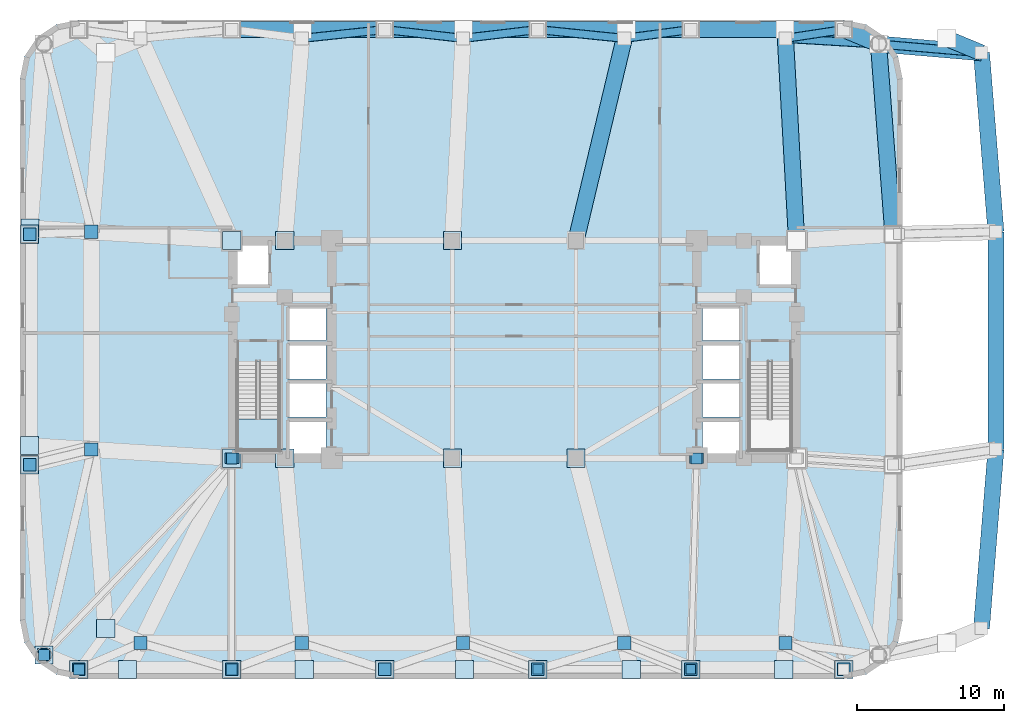
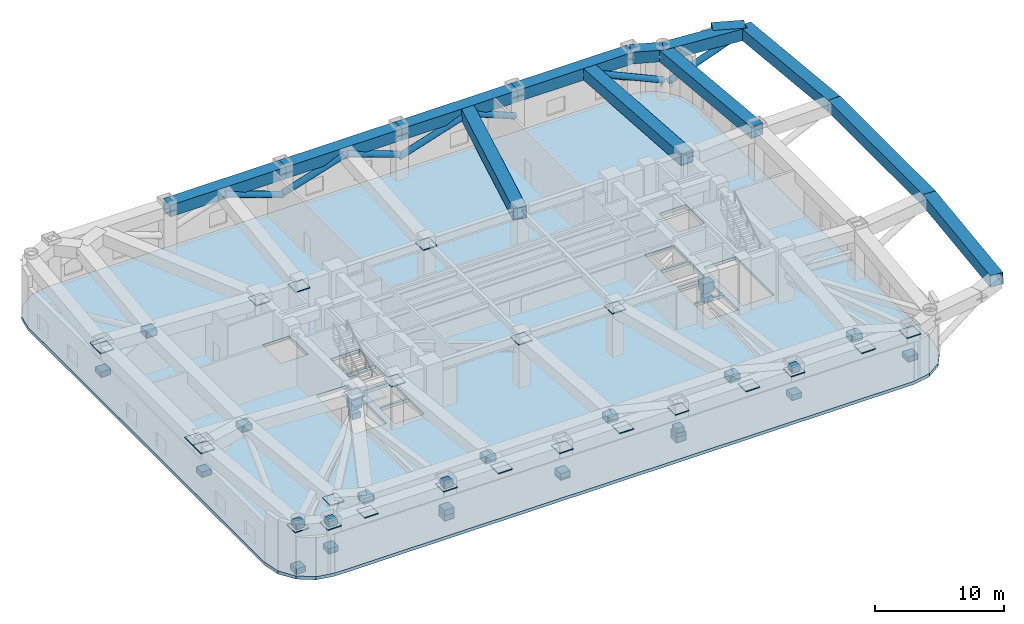
# One storey, part 3 of 9: 52 plates, 13 beams, 8 members, 2 slabs, 1 element without a shape of its own.
"""IFC4 building model written with IfcOpenShell, lengths in metres."""

from ifc_helpers import new_model, si_unit, direction, frame, origin, origin_2d, place, context, subcontext, project, spatial, polyline, rectangle, hollow_rectangle, hollow_circle, outline, extrude, material, layer, layer_set, material_profile, profile_set, type_object, element, aggregate, save


model = new_model("IFC4")

# Units and contexts
model_context = context("Model", 3, precision=1e-05, world=origin(), true_north=direction((0.0, 1.0)))
body_context = subcontext(model_context, "Body", "Model", "MODEL_VIEW")
ifc_project = project(units=[si_unit("LENGTHUNIT", "METRE"), si_unit("AREAUNIT", "SQUARE_METRE"), si_unit("VOLUMEUNIT", "CUBIC_METRE"), si_unit("PLANEANGLEUNIT", "RADIAN"), si_unit("MASSUNIT", "GRAM", prefix="KILO")], contexts=[model_context])

# Site, building, storey
site_placement = place(None, origin())
site = spatial("IfcSite", under=ifc_project, at=site_placement, CompositionType="ELEMENT")
building_placement = place(site_placement, origin())
building = spatial("IfcBuilding", under=site, at=building_placement, Name="Voryun Gate Residences", CompositionType="ELEMENT")
storey_placement = place(building_placement, frame((0.0, 0.0, 80.60009765625)))
storey = spatial("IfcBuildingStorey", under=building, at=storey_placement, Name="L19", CompositionType="ELEMENT", Elevation=80.60009765625)

# Beams
ifc_material_1 = material(Name="Steel SM420", Category="steel")
ifc_material_profile_1 = material_profile(ifc_material_1, hollow_rectangle(XDim=1.10009765625, YDim=1.10009765625, WallThickness=0.035888671875, at=origin_2d()), Name="BOX-1100x1100x36")
ifc_profile_set_1 = profile_set([ifc_material_profile_1], Name="Steel SM420")
beam_type = type_object("IfcBeamType", Name="BM_ARCH_RIB", PredefinedType="USERDEFINED", material=ifc_profile_set_1)
beam_1_placement = place(storey_placement, frame((25.75, 7.830078125, 4.25), z_axis=(-0.075617360159, 0.997136908776, 0.0), x_axis=(-0.997136908776, -0.075617360159, 0.0)))
element("IfcBeam", 1, at=beam_1_placement, inside=storey, type_object=beam_type, Name="BM-L19-SPAND-09", ObjectType="GIRDER", PredefinedType="USERDEFINED", context=body_context, shape_type="SweptSolid", body=[
    extrude(hollow_rectangle(XDim=1.10009765625, YDim=1.10009765625, WallThickness=0.035888671875, at=origin_2d()), origin(), (0.0, 0.0, 1.0), 12.975830078125),
])
beam_2_placement = place(storey_placement, frame((24.768798828125, 20.768798828125, 4.25), z_axis=(-0.923883376753, 0.382674151414, 0.0), x_axis=(-0.382674151414, -0.923883376753, 0.0)))
element("IfcBeam", 2, at=beam_2_placement, inside=storey, type_object=beam_type, Name="BM-L19-SPAND-10", ObjectType="GIRDER", PredefinedType="USERDEFINED", context=body_context, shape_type="SweptSolid", body=[
    extrude(hollow_rectangle(XDim=1.10009765625, YDim=1.10009765625, WallThickness=0.035888671875, at=origin_2d()), origin(), (0.0, 0.0, 1.0), 2.56396484375),
])
for number, where, z_axis, x_axis, name in (
    (3, (22.39990234375, 21.75, 4.25), (-1.0, 0.0, 0.0), (0.0, -1.0, 0.0), "BM-L19-SPAND-11"),
    (4, (12.0, 21.75, 4.25), (-1.0, 0.0, 0.0), (0.0, -1.0, 0.0), "BM-L19-SPAND-12"),
):
    element("IfcBeam", number, at=place(storey_placement, frame(where, z_axis=z_axis, x_axis=x_axis)), inside=storey, type_object=beam_type, Name=name, ObjectType="GIRDER", PredefinedType="USERDEFINED", context=body_context, shape_type="SweptSolid", body=[
        extrude(hollow_rectangle(XDim=1.10009765625, YDim=1.10009765625, WallThickness=0.035888671875, at=origin_2d()), origin(), (0.0, 0.0, 1.0), 10.39990234375),
    ])
beam_3_placement = place(storey_placement, frame((1.60009765625, 21.75, 4.25), z_axis=(-1.0, 0.0, 0.0), x_axis=(0.0, -1.0, 0.0)))
element("IfcBeam", 5, at=beam_3_placement, inside=storey, type_object=beam_type, Name="BM-L19-SPAND-13", ObjectType="GIRDER", PredefinedType="USERDEFINED", context=body_context, shape_type="SweptSolid", body=[
    extrude(hollow_rectangle(XDim=1.10009765625, YDim=1.10009765625, WallThickness=0.035888671875, at=origin_2d()), origin(), (0.0, 0.0, 1.0), 10.400146484375),
])
beam_4_placement = place(storey_placement, frame((-8.800048828125, 21.75, 4.25), z_axis=(-1.0, 0.0, 0.0), x_axis=(0.0, -1.0, 0.0)))
element("IfcBeam", 6, at=beam_4_placement, inside=storey, type_object=beam_type, Name="BM-L19-SPAND-14", ObjectType="GIRDER", PredefinedType="USERDEFINED", context=body_context, shape_type="SweptSolid", body=[
    extrude(hollow_rectangle(XDim=1.10009765625, YDim=1.10009765625, WallThickness=0.035888671875, at=origin_2d()), origin(), (0.0, 0.0, 1.0), 10.39990234375),
])
beam_5_placement = place(storey_placement, frame((24.768798828125, 20.768798828125, 4.25), z_axis=(0.996345466215, -0.08541493987, 0.0), x_axis=(0.08541493987, 0.996345466215, 0.0)))
element("IfcBeam", 7, at=beam_5_placement, inside=storey, type_object=beam_type, Name="BM-L19-XFERLOW-CNE", ObjectType="GIRDER", PredefinedType="USERDEFINED", context=body_context, shape_type="SweptSolid", body=[
    extrude(hollow_rectangle(XDim=1.10009765625, YDim=1.10009765625, WallThickness=0.035888671875, at=origin_2d()), origin(), (0.0, 0.0, 1.0), 7.025634765625),
])
beam_6_placement = place(storey_placement, frame((19.199951171875, 7.39990234375, 4.25), z_axis=(-0.055191531323, 0.998475785821, 0.0), x_axis=(-0.998475785821, -0.055191531323, 0.0)))
element("IfcBeam", 8, at=beam_6_placement, inside=storey, type_object=beam_type, Name="BM-L19-XFERCANT-N2", ObjectType="GIRDER", PredefinedType="USERDEFINED", context=body_context, shape_type="SweptSolid", body=[
    extrude(hollow_rectangle(XDim=1.10009765625, YDim=1.10009765625, WallThickness=0.035888671875, at=origin_2d()), origin(), (0.0, 0.0, 1.0), 14.3720703125),
])
beam_7_placement = place(storey_placement, frame((4.199951171875, 7.39990234375, 4.25), z_axis=(0.232031422395, 0.972708290816, 0.0), x_axis=(-0.972708290816, 0.232031422395, 0.0)))
element("IfcBeam", 9, at=beam_7_placement, inside=storey, type_object=beam_type, Name="BM-L19-XFERCANT-N3", ObjectType="GIRDER", PredefinedType="USERDEFINED", context=body_context, shape_type="SweptSolid", body=[
    extrude(hollow_rectangle(XDim=1.10009765625, YDim=1.10009765625, WallThickness=0.035888671875, at=origin_2d()), origin(), (0.0, 0.0, 1.0), 14.752685546875),
])
beam_8_placement = place(storey_placement, frame((31.768798828125, -18.96875, 4.25), z_axis=(0.080359517973, 0.996765944378, 0.0), x_axis=(-0.996765944378, 0.080359517973, 0.0)))
element("IfcBeam", 10, at=beam_8_placement, inside=storey, type_object=beam_type, Name="BM-L19-XFERRING-07", ObjectType="GIRDER", PredefinedType="USERDEFINED", context=body_context, shape_type="SweptSolid", body=[
    extrude(hollow_rectangle(XDim=1.10009765625, YDim=1.10009765625, WallThickness=0.035888671875, at=origin_2d()), origin(), (0.0, 0.0, 1.0), 12.210205078125),
])
beam_9_placement = place(storey_placement, frame((32.75, -6.798095703125, 4.25), z_axis=(0.0, 1.0, 0.0), x_axis=(-1.0, 0.0, 0.0)))
element("IfcBeam", 11, at=beam_9_placement, inside=storey, type_object=beam_type, Name="BM-L19-XFERRING-08", ObjectType="GIRDER", PredefinedType="USERDEFINED", context=body_context, shape_type="SweptSolid", body=[
    extrude(hollow_rectangle(XDim=1.10009765625, YDim=1.10009765625, WallThickness=0.035888671875, at=origin_2d()), origin(), (0.0, 0.0, 1.0), 14.796142578125),
])
beam_10_placement = place(storey_placement, frame((32.75, 7.998046875, 4.25), z_axis=(-0.080359517973, 0.996765944378, 0.0), x_axis=(-0.996765944378, -0.080359517973, 0.0)))
element("IfcBeam", 12, at=beam_10_placement, inside=storey, type_object=beam_type, Name="BM-L19-XFERRING-09", ObjectType="GIRDER", PredefinedType="USERDEFINED", context=body_context, shape_type="SweptSolid", body=[
    extrude(hollow_rectangle(XDim=1.10009765625, YDim=1.10009765625, WallThickness=0.035888671875, at=origin_2d()), origin(), (0.0, 0.0, 1.0), 12.210205078125),
])
beam_11_placement = place(storey_placement, frame((31.768798828125, 20.168701171875, 4.25), z_axis=(-0.923883376753, 0.382674151414, 0.0), x_axis=(-0.382674151414, -0.923883376753, 0.0)))
element("IfcBeam", 13, at=beam_11_placement, inside=storey, type_object=beam_type, Name="BM-L19-XFERRING-10", ObjectType="GIRDER", PredefinedType="USERDEFINED", context=body_context, shape_type="SweptSolid", body=[
    extrude(hollow_rectangle(XDim=1.10009765625, YDim=1.10009765625, WallThickness=0.035888671875, at=origin_2d()), origin(), (0.0, 0.0, 1.0), 2.56396484375),
])

# Members
ifc_material_2 = material(Name="Steel SM420", Category="steel")
ifc_material_profile_2 = material_profile(ifc_material_2, hollow_circle(Radius=0.280029296875, WallThickness=0.02587890625, at=origin_2d()), Name="CHS-560x26")
ifc_profile_set_2 = profile_set([ifc_material_profile_2], Name="Steel SM420")
member_type = type_object("IfcMemberType", Name="MBR_CANT_STRUT_B2", PredefinedType="STRUT", material=ifc_profile_set_2)
member_1_placement = place(storey_placement, frame((25.187255859375, 20.73291015625, 1.27734375), z_axis=(0.908583929297, -0.077889215098, 0.410376063622), x_axis=(0.085412672366, 0.996345660601, 0.0)))
element("IfcMember", 14, at=member_1_placement, inside=storey, type_object=member_type, Name="L19 Block B2 Cantilever Strut CNE", PredefinedType="STRUT", context=body_context, shape_type="SweptSolid", body=[
    extrude(hollow_circle(Radius=0.280029296875, WallThickness=0.02587890625, at=origin_2d()), origin(), (0.0, 0.0, 1.0), 7.24365234375),
])
member_2_placement = place(storey_placement, frame((22.39990234375, 21.75, 2.0498046875), z_axis=(-0.866566861849, -0.131320674872, 0.481473523982), x_axis=(0.149830659293, -0.988711673612, 0.0)))
element("IfcMember", 15, at=member_2_placement, inside=storey, type_object=member_type, Name="L19 Setback Transfer V-Strut N2-1", PredefinedType="STRUT", context=body_context, shape_type="SweptSolid", body=[
    extrude(hollow_circle(Radius=0.280029296875, WallThickness=0.02587890625, at=origin_2d()), origin(), (0.0, 0.0, 1.0), 4.56982421875),
])
member_3_placement = place(storey_placement, frame((24.768798828125, 20.768798828125, 1.5869140625), z_axis=(-0.920307233967, 0.055417952869, 0.387251140227), x_axis=(-0.060107916975, -0.998191884518, 0.0)))
element("IfcMember", 16, at=member_3_placement, inside=storey, type_object=member_type, Name="L19 Setback Transfer V-Strut N2-2", PredefinedType="STRUT", context=body_context, shape_type="SweptSolid", body=[
    extrude(hollow_circle(Radius=0.280029296875, WallThickness=0.02587890625, at=origin_2d()), origin(), (0.0, 0.0, 1.0), 6.876953125),
])
member_4_placement = place(storey_placement, frame((12.0, 21.75, 2.0498046875), z_axis=(-0.892797261866, -0.118531687894, 0.434584040399), x_axis=(0.131609560811, -0.991301630939, 0.0)))
element("IfcMember", 17, at=member_4_placement, inside=storey, type_object=member_type, Name="L19 Setback Transfer V-Strut N3-1", PredefinedType="STRUT", context=body_context, shape_type="SweptSolid", body=[
    extrude(hollow_circle(Radius=0.280029296875, WallThickness=0.02587890625, at=origin_2d()), origin(), (0.0, 0.0, 1.0), 5.062744140625),
])
member_5_placement = place(storey_placement, frame((1.60009765625, 21.75, 1.767578125), z_axis=(0.91721517762, -0.093610484412, 0.387238163347), x_axis=(0.101532042777, 0.994832269425, 0.0)))
element("IfcMember", 18, at=member_5_placement, inside=storey, type_object=member_type, Name="L19 Setback Transfer V-Strut N3-2", PredefinedType="STRUT", context=body_context, shape_type="SweptSolid", body=[
    extrude(hollow_circle(Radius=0.280029296875, WallThickness=0.02587890625, at=origin_2d()), origin(), (0.0, 0.0, 1.0), 6.41064453125),
])
member_6_placement = place(storey_placement, frame((1.60009765625, 21.75, 2.0498046875), z_axis=(-0.912288752376, -0.107766520249, 0.395114678797), x_axis=(0.117311984873, -0.993095110352, 0.0)))
element("IfcMember", 19, at=member_6_placement, inside=storey, type_object=member_type, Name="L19 Setback Transfer V-Strut N4-1", PredefinedType="STRUT", context=body_context, shape_type="SweptSolid", body=[
    extrude(hollow_circle(Radius=0.280029296875, WallThickness=0.02587890625, at=origin_2d()), origin(), (0.0, 0.0, 1.0), 5.568603515625),
])
member_7_placement = place(storey_placement, frame((-8.800048828125, 21.75, 2.001220703125), z_axis=(0.916161002023, -0.103341918359, 0.387258913755), x_axis=(0.112088035112, 0.993698280357, 0.0)))
element("IfcMember", 20, at=member_7_placement, inside=storey, type_object=member_type, Name="L19 Setback Transfer V-Strut N4-2", PredefinedType="STRUT", context=body_context, shape_type="SweptSolid", body=[
    extrude(hollow_circle(Radius=0.280029296875, WallThickness=0.02587890625, at=origin_2d()), origin(), (0.0, 0.0, 1.0), 5.806884765625),
])
member_8_placement = place(storey_placement, frame((-8.800048828125, 21.75, 1.86767578125), z_axis=(-0.916795479936, -0.097549166256, 0.387259871573), x_axis=(0.105805072301, -0.994386889835, 0.0)))
element("IfcMember", 21, at=member_8_placement, inside=storey, type_object=member_type, Name="L19 Setback Transfer V-Strut N5-2", PredefinedType="STRUT", context=body_context, shape_type="SweptSolid", body=[
    extrude(hollow_circle(Radius=0.280029296875, WallThickness=0.02587890625, at=origin_2d()), origin(), (0.0, 0.0, 1.0), 6.15185546875),
])

# Plates
ifc_material_3 = material(Name="Steel SM355", Category="steel")
ifc_layer_1 = layer(ifc_material_3, 0.02490234375, Name="PLT_END_CAP_25")
ifc_layer_set_1 = layer_set([ifc_layer_1], Name="Steel SM355")
plate_type_1 = type_object("IfcPlateType", Name="PLT_END_CAP_25", PredefinedType="USERDEFINED", material=ifc_layer_set_1)
for number, where, z_axis, x_axis, name in (
    (22, (-29.60009765625, -21.75, 4.2099609375), (0.0, 0.0, 1.0), (1.0, 0.0, 0.0), "L19 Hollow Member End-Cap Plate EC-205"),
    (23, (-19.199951171875, -21.75, 4.2099609375), (0.0, 0.0, 1.0), (1.0, 0.0, 0.0), "L19 Hollow Member End-Cap Plate EC-206"),
    (24, (-8.800048828125, -21.75, 4.2099609375), (0.0, 0.0, 1.0), (1.0, 0.0, 0.0), "L19 Hollow Member End-Cap Plate EC-207"),
    (25, (1.60009765625, -21.75, 4.2099609375), (0.0, 0.0, 1.0), (1.0, 0.0, 0.0), "L19 Hollow Member End-Cap Plate EC-208"),
    (26, (12.0, -21.75, 4.2099609375), (0.0, 0.0, 1.0), (1.0, 0.0, 0.0), "L19 Hollow Member End-Cap Plate EC-209"),
    (27, (22.39990234375, -21.75, 4.2099609375), (0.0, 0.0, 1.0), (1.0, 0.0, 0.0), "L19 Hollow Member End-Cap Plate EC-210"),
    (28, (-32.949951171875, 7.830078125, 4.2099609375), (0.0, 0.0, 1.0), (1.0, 0.0, 0.0), "L19 Hollow Member End-Cap Plate EC-222"),
    (29, (-32.949951171875, -7.830078125, 4.2099609375), (0.0, 0.0, 1.0), (1.0, 0.0, 0.0), "L19 Hollow Member End-Cap Plate EC-223"),
    (30, (-31.96875, -20.768798828125, 4.2099609375), (0.0, 0.0, 1.0), (1.0, 0.0, 0.0), "L19 Hollow Member End-Cap Plate EC-224"),
    (31, (-19.199951171875, -7.39990234375, 4.2099609375), (0.0, 0.0, 1.0), (1.0, 0.0, 0.0), "L19 Hollow Member End-Cap Plate EC-225"),
    (32, (-26.289306640625, -21.75, 4.2099609375), (0.0, 0.0, 1.0), (1.0, 0.0, 0.0), "L19 Hollow Member End-Cap Plate EC-226"),
    (33, (-15.60009765625, -7.39990234375, 4.2099609375), (0.0, 0.0, 1.0), (1.0, 0.0, 0.0), "L19 Hollow Member End-Cap Plate EC-227"),
    (34, (-14.273681640625, -21.75, 4.2099609375), (0.0, 0.0, 1.0), (1.0, 0.0, 0.0), "L19 Hollow Member End-Cap Plate EC-228"),
    (35, (-4.199951171875, -7.39990234375, 4.2099609375), (0.0, 0.0, 1.0), (1.0, 0.0, 0.0), "L19 Hollow Member End-Cap Plate EC-229"),
    (36, (-3.376708984375, -21.75, 4.2099609375), (0.0, 0.0, 1.0), (1.0, 0.0, 0.0), "L19 Hollow Member End-Cap Plate EC-230"),
    (37, (4.199951171875, -7.39990234375, 4.2099609375), (0.0, 0.0, 1.0), (1.0, 0.0, 0.0), "L19 Hollow Member End-Cap Plate EC-231"),
    (38, (7.950439453125, -21.75, 4.2099609375), (0.0, 0.0, 1.0), (1.0, 0.0, 0.0), "L19 Hollow Member End-Cap Plate EC-232"),
    (39, (18.3310546875, -21.75, 4.2099609375), (0.0, 0.0, 1.0), (1.0, 0.0, 0.0), "L19 Hollow Member End-Cap Plate EC-234"),
    (40, (-4.199951171875, 7.39990234375, 4.2099609375), (0.0, 0.0, 1.0), (1.0, 0.0, 0.0), "L19 Hollow Member End-Cap Plate EC-240"),
    (41, (-15.60009765625, 7.39990234375, 4.2099609375), (0.0, 0.0, 1.0), (1.0, 0.0, 0.0), "L19 Hollow Member End-Cap Plate EC-242"),
    (42, (-19.199951171875, 7.39990234375, 4.2099609375), (0.0, 0.0, 1.0), (1.0, 0.0, 0.0), "L19 Hollow Member End-Cap Plate EC-244"),
    (43, (-32.91748046875, 8.259033203125, 4.2099609375), (0.0, 0.0, 1.0), (1.0, 0.0, 0.0), "L19 Hollow Member End-Cap Plate EC-247"),
    (44, (-32.949951171875, -6.533203125, 4.2099609375), (0.0, 0.0, 1.0), (1.0, 0.0, 0.0), "L19 Hollow Member End-Cap Plate EC-248"),
    (45, (-27.768798828125, -18.96875, 4.2099609375), (0.0, 0.0, 1.0), (1.0, 0.0, 0.0), "L19 Hollow Member End-Cap Plate EC-250"),
):
    element("IfcPlate", number, at=place(storey_placement, frame(where, z_axis=z_axis, x_axis=x_axis)), inside=storey, type_object=plate_type_1, Name=name, ObjectType="BASE_PLATE", PredefinedType="USERDEFINED", context=body_context, shape_type="SweptSolid", body=[
        extrude(rectangle(XDim=1.239990234375, YDim=1.239990234375, at=origin_2d()), origin(), (0.0, 0.0, 1.0), 0.080078125),
    ])
plate_1_placement = place(storey_placement, frame((12.0, -21.75, 4.269775390625), z_axis=(0.0, 0.0, 1.0), x_axis=(1.0, 0.0, 0.0)))
element("IfcPlate", 46, at=plate_1_placement, inside=storey, type_object=plate_type_1, Name="L19 Brace Node Connection Plate BN-252", ObjectType="BASE_PLATE", PredefinedType="USERDEFINED", context=body_context, shape_type="SweptSolid", body=[
    extrude(rectangle(XDim=0.659912109375, YDim=0.659912109375, at=origin_2d()), origin(), (0.0, 0.0, 1.0), 0.56005859375),
])
for number, where, z_axis, x_axis, name in (
    (47, (-31.96875, -20.768798828125, 4.269775390625), (0.0, 0.0, 1.0), (1.0, 0.0, 0.0), "L19 Brace Node Connection Plate BN-254"),
    (48, (-19.199951171875, -21.75, 4.269775390625), (0.0, 0.0, 1.0), (1.0, 0.0, 0.0), "L19 Brace Node Connection Plate BN-256"),
):
    element("IfcPlate", number, at=place(storey_placement, frame(where, z_axis=z_axis, x_axis=x_axis)), inside=storey, type_object=plate_type_1, Name=name, ObjectType="BASE_PLATE", PredefinedType="USERDEFINED", context=body_context, shape_type="SweptSolid", body=[
        extrude(rectangle(XDim=0.739990234375, YDim=0.739990234375, at=origin_2d()), origin(), (0.0, 0.0, 1.0), 0.56005859375),
    ])
ifc_material_4 = material(Name="Steel SM420", Category="steel")
ifc_layer_2 = layer(ifc_material_4, 0.035888671875, Name="PLT_OUTRIGGER_GUSSET_36")
ifc_layer_set_2 = layer_set([ifc_layer_2], Name="Steel SM420")
plate_type_2 = type_object("IfcPlateType", Name="PLT_OUTRIGGER_GUSSET_36", PredefinedType="USERDEFINED", material=ifc_layer_set_2)
for number, where, z_axis, x_axis, name in (
    (49, (-19.199951171875, -7.39990234375, 3.0), (0.0, 0.0, 1.0), (1.0, 0.0, 0.0), "L19 Outrigger Gusset Plate ON-CSW"),
    (50, (12.39990234375, -7.39990234375, 3.0), (0.0, 0.0, 1.0), (1.0, 0.0, 0.0), "L19 Outrigger Gusset Plate ON-S5"),
):
    element("IfcPlate", number, at=place(storey_placement, frame(where, z_axis=z_axis, x_axis=x_axis)), inside=storey, type_object=plate_type_2, Name=name, ObjectType="GUSSET_PLATE", PredefinedType="USERDEFINED", context=body_context, shape_type="SweptSolid", body=[
        extrude(rectangle(XDim=0.949951171875, YDim=0.719970703125, at=origin_2d()), origin(), (0.0, 0.0, 1.0), 0.949951171875),
    ])
plate_2_placement = place(storey_placement, frame((1.60009765625, -21.75, 2.119873046875), z_axis=(0.0, 0.0, 1.0), x_axis=(1.0, 0.0, 0.0)))
element("IfcPlate", 51, at=plate_2_placement, inside=storey, type_object=plate_type_2, Name="L19 Brace Node Connection Plate BN-251", ObjectType="GUSSET_PLATE", PredefinedType="USERDEFINED", context=body_context, shape_type="SweptSolid", body=[
    extrude(rectangle(XDim=0.659912109375, YDim=0.659912109375, at=origin_2d()), origin(), (0.0, 0.0, 1.0), 0.56005859375),
])
for number, where, z_axis, x_axis, name in (
    (52, (-19.199951171875, -7.39990234375, 2.119873046875), (0.0, 0.0, 1.0), (1.0, 0.0, 0.0), "L19 Brace Node Connection Plate BN-253"),
    (53, (-29.60009765625, -21.75, 4.269775390625), (0.0, 0.0, 1.0), (1.0, 0.0, 0.0), "L19 Brace Node Connection Plate BN-255"),
    (54, (12.39990234375, -7.39990234375, 2.119873046875), (0.0, 0.0, 1.0), (1.0, 0.0, 0.0), "L19 Brace Node Connection Plate BN-257"),
):
    element("IfcPlate", number, at=place(storey_placement, frame(where, z_axis=z_axis, x_axis=x_axis)), inside=storey, type_object=plate_type_2, Name=name, ObjectType="GUSSET_PLATE", PredefinedType="USERDEFINED", context=body_context, shape_type="SweptSolid", body=[
        extrude(rectangle(XDim=0.739990234375, YDim=0.739990234375, at=origin_2d()), origin(), (0.0, 0.0, 1.0), 0.56005859375),
    ])
ifc_material_5 = material(Name="Steel SM420", Category="steel")
ifc_layer_3 = layer(ifc_material_5, 0.031982421875, Name="PLT_SPLICE_PLATE_32")
ifc_layer_set_3 = layer_set([ifc_layer_3], Name="Steel SM420")
plate_type_3 = type_object("IfcPlateType", Name="PLT_SPLICE_PLATE_32", PredefinedType="USERDEFINED", material=ifc_layer_set_3)
for number, where, z_axis, x_axis, name in (
    (55, (-29.60009765625, -21.75, 1.7998046875), (0.0, 0.0, 1.0), (1.0, 0.0, 0.0), "L19 Setback V-Strut Gusset VS-S1-1"),
    (56, (-19.199951171875, -21.75, 1.288330078125), (0.0, 0.0, 1.0), (1.0, 0.0, 0.0), "L19 Setback V-Strut Gusset VS-S1-2"),
):
    element("IfcPlate", number, at=place(storey_placement, frame(where, z_axis=z_axis, x_axis=x_axis)), inside=storey, type_object=plate_type_3, Name=name, ObjectType="SPLICE_PLATE", PredefinedType="USERDEFINED", context=body_context, shape_type="SweptSolid", body=[
        extrude(rectangle(XDim=0.85009765625, YDim=0.85009765625, at=origin_2d()), origin(), (0.0, 0.0, 1.0), 0.5),
    ])
plate_3_placement = place(storey_placement, frame((-25.39990234375, -19.949951171875, 3.97509765625), z_axis=(0.0, 0.0, 1.0), x_axis=(1.0, 0.0, 0.0)))
element("IfcPlate", 57, at=plate_3_placement, inside=storey, type_object=plate_type_3, Name="L19 Setback V-Strut Apex Plate VT-S1", ObjectType="SPLICE_PLATE", PredefinedType="USERDEFINED", context=body_context, shape_type="SweptSolid", body=[
    extrude(rectangle(XDim=0.89990234375, YDim=0.89990234375, at=origin_2d()), origin(), (0.0, 0.0, 1.0), 0.550048828125),
])
for number, where, z_axis, x_axis, name in (
    (58, (-19.199951171875, -21.75, 1.7998046875), (0.0, 0.0, 1.0), (1.0, 0.0, 0.0), "L19 Setback V-Strut Gusset VS-S2-1"),
    (59, (-8.800048828125, -21.75, 1.513427734375), (0.0, 0.0, 1.0), (1.0, 0.0, 0.0), "L19 Setback V-Strut Gusset VS-S2-2"),
):
    element("IfcPlate", number, at=place(storey_placement, frame(where, z_axis=z_axis, x_axis=x_axis)), inside=storey, type_object=plate_type_3, Name=name, ObjectType="SPLICE_PLATE", PredefinedType="USERDEFINED", context=body_context, shape_type="SweptSolid", body=[
        extrude(rectangle(XDim=0.85009765625, YDim=0.85009765625, at=origin_2d()), origin(), (0.0, 0.0, 1.0), 0.5),
    ])
plate_4_placement = place(storey_placement, frame((-14.43994140625, -19.949951171875, 3.97509765625), z_axis=(0.0, 0.0, 1.0), x_axis=(1.0, 0.0, 0.0)))
element("IfcPlate", 60, at=plate_4_placement, inside=storey, type_object=plate_type_3, Name="L19 Setback V-Strut Apex Plate VT-S2", ObjectType="SPLICE_PLATE", PredefinedType="USERDEFINED", context=body_context, shape_type="SweptSolid", body=[
    extrude(rectangle(XDim=0.89990234375, YDim=0.89990234375, at=origin_2d()), origin(), (0.0, 0.0, 1.0), 0.550048828125),
])
for number, where, z_axis, x_axis, name in (
    (61, (1.60009765625, -21.75, 1.736328125), (0.0, 0.0, 1.0), (1.0, 0.0, 0.0), "L19 Setback V-Strut Gusset VS-S3-1"),
    (62, (-8.800048828125, -21.75, 1.64111328125), (0.0, 0.0, 1.0), (1.0, 0.0, 0.0), "L19 Setback V-Strut Gusset VS-S3-2"),
):
    element("IfcPlate", number, at=place(storey_placement, frame(where, z_axis=z_axis, x_axis=x_axis)), inside=storey, type_object=plate_type_3, Name=name, ObjectType="SPLICE_PLATE", PredefinedType="USERDEFINED", context=body_context, shape_type="SweptSolid", body=[
        extrude(rectangle(XDim=0.85009765625, YDim=0.85009765625, at=origin_2d()), origin(), (0.0, 0.0, 1.0), 0.5),
    ])
plate_5_placement = place(storey_placement, frame((-3.47998046875, -19.949951171875, 3.97509765625), z_axis=(0.0, 0.0, 1.0), x_axis=(1.0, 0.0, 0.0)))
element("IfcPlate", 63, at=plate_5_placement, inside=storey, type_object=plate_type_3, Name="L19 Setback V-Strut Apex Plate VT-S3", ObjectType="SPLICE_PLATE", PredefinedType="USERDEFINED", context=body_context, shape_type="SweptSolid", body=[
    extrude(rectangle(XDim=0.89990234375, YDim=0.89990234375, at=origin_2d()), origin(), (0.0, 0.0, 1.0), 0.550048828125),
])
for number, where, z_axis, x_axis, name in (
    (64, (12.0, -21.75, 1.7998046875), (0.0, 0.0, 1.0), (1.0, 0.0, 0.0), "L19 Setback V-Strut Gusset VS-S4-1"),
    (65, (1.60009765625, -21.75, 1.417236328125), (0.0, 0.0, 1.0), (1.0, 0.0, 0.0), "L19 Setback V-Strut Gusset VS-S4-2"),
):
    element("IfcPlate", number, at=place(storey_placement, frame(where, z_axis=z_axis, x_axis=x_axis)), inside=storey, type_object=plate_type_3, Name=name, ObjectType="SPLICE_PLATE", PredefinedType="USERDEFINED", context=body_context, shape_type="SweptSolid", body=[
        extrude(rectangle(XDim=0.85009765625, YDim=0.85009765625, at=origin_2d()), origin(), (0.0, 0.0, 1.0), 0.5),
    ])
plate_6_placement = place(storey_placement, frame((7.47998046875, -19.949951171875, 3.97509765625), z_axis=(0.0, 0.0, 1.0), x_axis=(1.0, 0.0, 0.0)))
element("IfcPlate", 66, at=plate_6_placement, inside=storey, type_object=plate_type_3, Name="L19 Setback V-Strut Apex Plate VT-S4", ObjectType="SPLICE_PLATE", PredefinedType="USERDEFINED", context=body_context, shape_type="SweptSolid", body=[
    extrude(rectangle(XDim=0.89990234375, YDim=0.89990234375, at=origin_2d()), origin(), (0.0, 0.0, 1.0), 0.550048828125),
])
plate_7_placement = place(storey_placement, frame((22.39990234375, -21.75, 1.7998046875), z_axis=(0.0, 0.0, 1.0), x_axis=(1.0, 0.0, 0.0)))
element("IfcPlate", 67, at=plate_7_placement, inside=storey, type_object=plate_type_3, Name="L19 Setback V-Strut Gusset VS-S5-1", ObjectType="SPLICE_PLATE", PredefinedType="USERDEFINED", context=body_context, shape_type="SweptSolid", body=[
    extrude(rectangle(XDim=0.85009765625, YDim=0.85009765625, at=origin_2d()), origin(), (0.0, 0.0, 1.0), 0.5),
])
plate_8_placement = place(storey_placement, frame((18.43994140625, -19.949951171875, 3.97509765625), z_axis=(0.0, 0.0, 1.0), x_axis=(1.0, 0.0, 0.0)))
element("IfcPlate", 68, at=plate_8_placement, inside=storey, type_object=plate_type_3, Name="L19 Setback V-Strut Apex Plate VT-S5", ObjectType="SPLICE_PLATE", PredefinedType="USERDEFINED", context=body_context, shape_type="SweptSolid", body=[
    extrude(rectangle(XDim=0.89990234375, YDim=0.89990234375, at=origin_2d()), origin(), (0.0, 0.0, 1.0), 0.550048828125),
])
plate_9_placement = place(storey_placement, frame((-32.949951171875, 7.830078125, 1.7998046875), z_axis=(0.0, 0.0, 1.0), x_axis=(1.0, 0.0, 0.0)))
element("IfcPlate", 69, at=plate_9_placement, inside=storey, type_object=plate_type_3, Name="L19 Setback V-Strut Gusset VS-W1-1", ObjectType="SPLICE_PLATE", PredefinedType="USERDEFINED", context=body_context, shape_type="SweptSolid", body=[
    extrude(rectangle(XDim=0.85009765625, YDim=0.85009765625, at=origin_2d()), origin(), (0.0, 0.0, 1.0), 0.5),
])
plate_10_placement = place(storey_placement, frame((-28.75, 7.998046875, 3.97509765625), z_axis=(0.0, 0.0, 1.0), x_axis=(1.0, 0.0, 0.0)))
element("IfcPlate", 70, at=plate_10_placement, inside=storey, type_object=plate_type_3, Name="L19 Setback V-Strut Apex Plate VT-W1", ObjectType="SPLICE_PLATE", PredefinedType="USERDEFINED", context=body_context, shape_type="SweptSolid", body=[
    extrude(rectangle(XDim=0.89990234375, YDim=0.89990234375, at=origin_2d()), origin(), (0.0, 0.0, 1.0), 0.550048828125),
])
for number, where, z_axis, x_axis, name in (
    (71, (-32.949951171875, -7.830078125, 1.7998046875), (0.0, 0.0, 1.0), (1.0, 0.0, 0.0), "L19 Setback V-Strut Gusset VS-W2-1"),
    (72, (-31.96875, -20.768798828125, 0.099853515625), (0.0, 0.0, 1.0), (1.0, 0.0, 0.0), "L19 Setback V-Strut Gusset VS-W2-2"),
):
    element("IfcPlate", number, at=place(storey_placement, frame(where, z_axis=z_axis, x_axis=x_axis)), inside=storey, type_object=plate_type_3, Name=name, ObjectType="SPLICE_PLATE", PredefinedType="USERDEFINED", context=body_context, shape_type="SweptSolid", body=[
        extrude(rectangle(XDim=0.85009765625, YDim=0.85009765625, at=origin_2d()), origin(), (0.0, 0.0, 1.0), 0.5),
    ])
plate_11_placement = place(storey_placement, frame((-28.75, -6.798095703125, 3.97509765625), z_axis=(0.0, 0.0, 1.0), x_axis=(1.0, 0.0, 0.0)))
element("IfcPlate", 73, at=plate_11_placement, inside=storey, type_object=plate_type_3, Name="L19 Setback V-Strut Apex Plate VT-W2", ObjectType="SPLICE_PLATE", PredefinedType="USERDEFINED", context=body_context, shape_type="SweptSolid", body=[
    extrude(rectangle(XDim=0.89990234375, YDim=0.89990234375, at=origin_2d()), origin(), (0.0, 0.0, 1.0), 0.550048828125),
])

# Slab
ifc_material_6 = material(Name="Concrete C50/60", Category="concrete")
ifc_layer_4 = layer(ifc_material_6, 0.300048828125, Name="SLB_REFUGE_300")
ifc_layer_set_4 = layer_set([ifc_layer_4], Name="Concrete C50/60")
slab_type_1 = type_object("IfcSlabType", Name="SLB_REFUGE_300", PredefinedType="FLOOR", material=ifc_layer_set_4)
slab_1_placement = place(storey_placement, frame((0.0, 0.0, -0.300048828125)))
element("IfcSlab", 74, at=slab_1_placement, inside=storey, type_object=slab_type_1, Name="L19 Structural Floor Slab", PredefinedType="FLOOR", context=body_context, shape_type="SweptSolid", body=[
    extrude(outline(polyline([(-29.60009765625, -22.39990234375), (-31.130615234375, -22.095458984375), (-32.428466796875, -21.228515625), (-33.29541015625, -19.9306640625), (-33.60009765625, -18.39990234375), (-33.60009765625, 18.39990234375), (-33.29541015625, 19.9306640625), (-32.428466796875, 21.228515625), (-31.130615234375, 22.095458984375), (-29.60009765625, 22.39990234375), (22.39990234375, 22.39990234375), (23.9306640625, 22.095458984375), (25.228515625, 21.228515625), (26.095458984375, 19.9306640625), (26.39990234375, 18.39990234375), (26.39990234375, -18.39990234375), (26.095458984375, -19.9306640625), (25.228515625, -21.228515625), (23.9306640625, -22.095458984375), (22.39990234375, -22.39990234375), (-29.60009765625, -22.39990234375)]), holes=[polyline([(-12.800048828125, -4.800048828125), (-15.39990234375, -4.800048828125), (-15.39990234375, -7.199951171875), (-12.800048828125, -7.199951171875), (-12.800048828125, -4.800048828125)]), polyline([(-18.824951171875, -6.85009765625), (-15.97509765625, -6.85009765625), (-15.97509765625, -0.840087890625), (-18.824951171875, -0.840087890625), (-18.824951171875, -6.85009765625)]), polyline([(-12.800048828125, -4.60009765625), (-12.800048828125, -2.199951171875), (-15.39990234375, -2.199951171875), (-15.39990234375, -4.60009765625), (-12.800048828125, -4.60009765625)]), polyline([(-12.800048828125, 0.39990234375), (-15.39990234375, 0.39990234375), (-15.39990234375, -2.0), (-12.800048828125, -2.0), (-12.800048828125, 0.39990234375)]), polyline([(-12.800048828125, 0.60009765625), (-12.800048828125, 2.89990234375), (-15.39990234375, 2.89990234375), (-15.39990234375, 0.60009765625), (-12.800048828125, 0.60009765625)]), polyline([(-16.60009765625, 4.300048828125), (-16.60009765625, 7.199951171875), (-19.0, 7.199951171875), (-19.0, 4.300048828125), (-16.60009765625, 4.300048828125)]), polyline([(15.39990234375, -4.800048828125), (12.800048828125, -4.800048828125), (12.800048828125, -7.199951171875), (15.39990234375, -7.199951171875), (15.39990234375, -4.800048828125)]), polyline([(15.97509765625, -6.85009765625), (18.824951171875, -6.85009765625), (18.824951171875, -0.840087890625), (15.97509765625, -0.840087890625), (15.97509765625, -6.85009765625)]), polyline([(15.39990234375, -4.60009765625), (15.39990234375, -2.199951171875), (12.800048828125, -2.199951171875), (12.800048828125, -4.60009765625), (15.39990234375, -4.60009765625)]), polyline([(15.39990234375, 0.39990234375), (12.800048828125, 0.39990234375), (12.800048828125, -2.0), (15.39990234375, -2.0), (15.39990234375, 0.39990234375)]), polyline([(15.39990234375, 0.60009765625), (15.39990234375, 2.89990234375), (12.800048828125, 2.89990234375), (12.800048828125, 0.60009765625), (15.39990234375, 0.60009765625)]), polyline([(19.0, 4.300048828125), (19.0, 7.199951171875), (16.60009765625, 7.199951171875), (16.60009765625, 4.300048828125), (19.0, 4.300048828125)])]), origin(), (0.0, 0.0, 1.0), 0.300048828125),
])

# Stair, slab
ifc_material_7 = material(Name="Concrete C40/50", Category="concrete")
stair_type = type_object("IfcStairType", Name="STR_CORE_DOGLEG_1350", PredefinedType="HALF_TURN_STAIR", material=ifc_material_7)
stair_placement = place(storey_placement, origin())
stair = element("IfcStair", 75, at=stair_placement, inside=storey, type_object=stair_type, Name="L19 Special Escape Stair ST-W1", PredefinedType="HALF_TURN_STAIR")
ifc_material_8 = material(Name="Concrete C40/50", Category="concrete")
ifc_layer_5 = layer(ifc_material_8, 0.199951171875, Name="SLB_STAIR_LANDING_200")
ifc_layer_set_5 = layer_set([ifc_layer_5], Name="Concrete C40/50")
slab_type_2 = type_object("IfcSlabType", Name="SLB_STAIR_LANDING_200", PredefinedType="LANDING", material=ifc_layer_set_5)
slab_2_placement = place(storey_placement, frame((0.0, 0.0, 2.39990234375)))
slab_2 = element("IfcSlab", 76, at=slab_2_placement, type_object=slab_type_2, Name="ST-W1 landing 1", PredefinedType="LANDING", context=body_context, shape_type="SweptSolid", body=[
    extrude(outline(polyline([(-18.824951171875, -4.719970703125), (-18.824951171875, -6.85009765625), (-15.97509765625, -6.85009765625), (-15.97509765625, -4.719970703125), (-18.824951171875, -4.719970703125)])), origin(), (0.0, 0.0, 1.0), 0.199951171875),
])
aggregate(stair, [slab_2])

save(model, "model.ifc")
